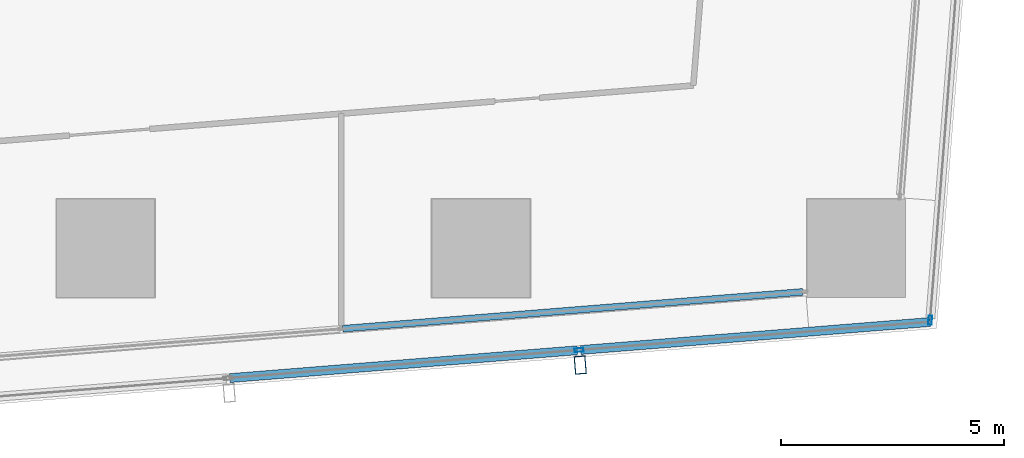
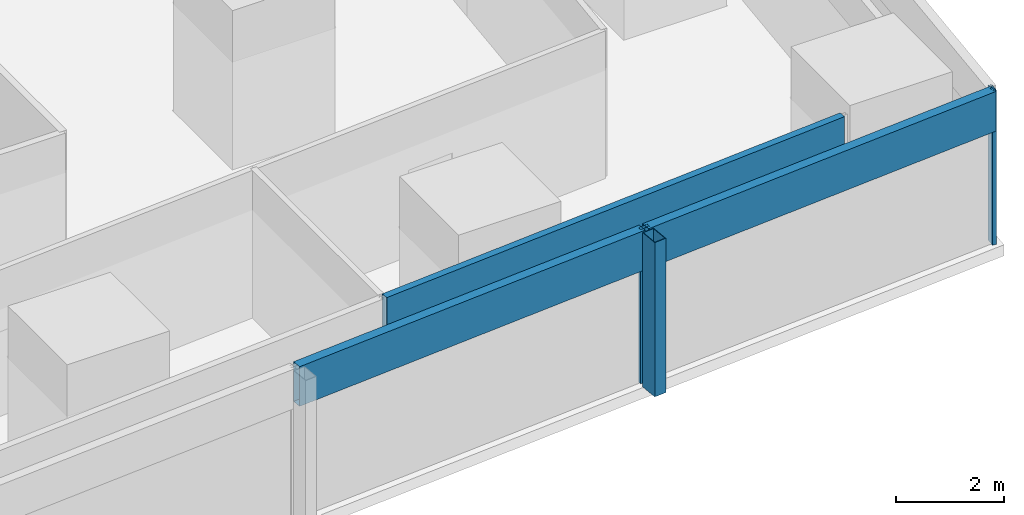
# One storey, part 9 of 42: 6 members, 3 elements without a shape of their own.
"""IFC4 building model written with IfcOpenShell, lengths in metres."""

from ifc_helpers import new_model, si_unit, direction, frame, origin, origin_2d, place, context, subcontext, project, spatial, hollow_rectangle, extrude, material, material_profile, profile_set, type_object, element, aggregate, save


model = new_model("IFC4")

# Units and contexts
model_context = context("Model", 3, precision=1e-05, world=origin(), true_north=direction((0.0, 1.0)))
body_context = subcontext(model_context, "Body", "Model", "MODEL_VIEW")
ifc_project = project(units=[si_unit("LENGTHUNIT", "METRE"), si_unit("AREAUNIT", "SQUARE_METRE"), si_unit("VOLUMEUNIT", "CUBIC_METRE"), si_unit("PLANEANGLEUNIT", "RADIAN"), si_unit("MASSUNIT", "GRAM", prefix="KILO")], contexts=[model_context])

# Site, building, storey
site_placement = place(None, origin())
site = spatial("IfcSite", under=ifc_project, at=site_placement, CompositionType="ELEMENT")
building_placement = place(site_placement, origin())
building = spatial("IfcBuilding", under=site, at=building_placement, Name="Rekha Terrace Tower", CompositionType="ELEMENT")
storey_placement = place(building_placement, frame((0.0, 0.0, 55.39990234375)))
storey = spatial("IfcBuildingStorey", under=building, at=storey_placement, Name="L13", CompositionType="ELEMENT", Elevation=55.39990234375)

# Curtain wall, member
ifc_material_1 = material(Name="Aluminium framing", Category="aluminium")
curtain_wall_type_1 = type_object("IfcCurtainWallType", Name="CW2 double skin outer glazing", PredefinedType="USERDEFINED", material=ifc_material_1)
curtain_wall_1_placement = place(storey_placement, origin())
curtain_wall_1 = element("IfcCurtainWall", 1, at=curtain_wall_1_placement, inside=storey, type_object=curtain_wall_type_1, Name="CW2 double skin outer glazing", ObjectType="DOUBLE SKIN OUTER GLAZING", PredefinedType="USERDEFINED")
ifc_material_2 = material(Name="Steel S355 with fluorocarbon finish", Category="steel")
ifc_material_profile_1 = material_profile(ifc_material_2, hollow_rectangle(XDim=0.25, YDim=0.39990234375, WallThickness=0.012451171875, at=origin_2d()), Name="RHS400x250x12.5")
ifc_profile_set_1 = profile_set([ifc_material_profile_1], Name="Steel S355 with fluorocarbon finish")
member_type_1 = type_object("IfcMemberType", Name="BL1 facade blade RHS 400 x 250", PredefinedType="USERDEFINED", material=ifc_profile_set_1)
member_1_placement = place(storey_placement, frame((61.022705078125, 5.78515625, 0.0), z_axis=(0.0, 0.0, 1.0), x_axis=(0.996805139821, 0.079871855039, 0.0)))
member_1 = element("IfcMember", 2, at=member_1_placement, type_object=member_type_1, Name="Facade blade", ObjectType="FACADE BLADE", PredefinedType="USERDEFINED", context=body_context, shape_type="SweptSolid", body=[
    extrude(hollow_rectangle(XDim=0.25, YDim=0.39990234375, WallThickness=0.012451171875, at=origin_2d()), origin(), (0.0, 0.0, 1.0), 3.5),
])

curtain_wall_type_2 = type_object("IfcCurtainWallType", Name="CW1 double skin inner glazing", PredefinedType="USERDEFINED", material=ifc_material_1)
curtain_wall_2_placement = place(storey_placement, origin())
curtain_wall_2 = element("IfcCurtainWall", 3, at=curtain_wall_2_placement, inside=storey, type_object=curtain_wall_type_2, Name="CW1 double skin inner glazing", ObjectType="DOUBLE SKIN INNER GLAZING", PredefinedType="USERDEFINED")
ifc_material_3 = material(Name="Insulated aluminium spandrel box", Category="aluminium")
ifc_material_profile_2 = material_profile(ifc_material_3, hollow_rectangle(XDim=0.14990234375, YDim=0.89990234375, WallThickness=0.0029296875, at=origin_2d()), Name="AL SPANDREL BOX 150x900")
ifc_profile_set_2 = profile_set([ifc_material_profile_2], Name="Insulated aluminium spandrel box")
member_type_2 = type_object("IfcMemberType", Name="CW1 spandrel transom 150 x 900", PredefinedType="USERDEFINED", material=ifc_profile_set_2)
member_2_placement = place(storey_placement, frame((55.704345703125, 6.59814453125, 3.050048828125), z_axis=(0.996806184606, 0.079858814989, 0.0), x_axis=(-0.079858814989, 0.996806184606, 0.0)))
member_2 = element("IfcMember", 4, at=member_2_placement, type_object=member_type_2, Name="CW1 spandrel transom 2", ObjectType="TRANSOM", PredefinedType="USERDEFINED", context=body_context, shape_type="SweptSolid", body=[
    extrude(hollow_rectangle(XDim=0.14990234375, YDim=0.89990234375, WallThickness=0.0029296875, at=origin_2d()), origin(), (0.0, 0.0, 1.0), 10.336181640625),
])
aggregate(curtain_wall_2, [member_2])

# Member
ifc_material_4 = material(Name="Aluminium mullion section", Category="aluminium")
ifc_material_profile_3 = material_profile(ifc_material_4, hollow_rectangle(XDim=0.080078125, YDim=0.199951171875, WallThickness=0.00390625, at=origin_2d()), Name="AL RHS 80x200")
ifc_profile_set_3 = profile_set([ifc_material_profile_3], Name="Aluminium mullion section")
member_type_3 = type_object("IfcMemberType", Name="CW2 mullion RHS 80 x 200", PredefinedType="MULLION", material=ifc_profile_set_3)
member_3_placement = place(storey_placement, frame((60.99609375, 6.119140625, 0.0), z_axis=(0.0, 0.0, 1.0), x_axis=(-0.079872204468, 0.996805111821, 0.0)))
member_3 = element("IfcMember", 5, at=member_3_placement, type_object=member_type_3, Name="CW2 mullion 3", PredefinedType="MULLION", context=body_context, shape_type="SweptSolid", body=[
    extrude(hollow_rectangle(XDim=0.080078125, YDim=0.199951171875, WallThickness=0.00390625, at=origin_2d()), origin(), (0.0, 0.0, 1.0), 3.5),
])

# Curtain wall, member
curtain_wall_3_placement = place(storey_placement, origin())
curtain_wall_3 = element("IfcCurtainWall", 6, at=curtain_wall_3_placement, inside=storey, type_object=curtain_wall_type_1, Name="CW2 double skin outer glazing", ObjectType="DOUBLE SKIN OUTER GLAZING", PredefinedType="USERDEFINED")
member_4_placement = place(storey_placement, frame((68.8544921875, 6.78857421875, 0.0), z_axis=(0.0, 0.0, 1.0), x_axis=(-0.996865392575, 0.079116301017, 0.0)))
member_4 = element("IfcMember", 7, at=member_4_placement, type_object=member_type_3, Name="CW2 mullion 1", PredefinedType="MULLION", context=body_context, shape_type="SweptSolid", body=[
    extrude(hollow_rectangle(XDim=0.080078125, YDim=0.199951171875, WallThickness=0.00390625, at=origin_2d()), origin(), (0.0, 0.0, 1.0), 3.5),
])
aggregate(curtain_wall_3, [member_4])

# Member
ifc_material_profile_4 = material_profile(ifc_material_3, hollow_rectangle(XDim=0.199951171875, YDim=0.89990234375, WallThickness=0.0029296875, at=origin_2d()), Name="AL SPANDREL BOX 200x900")
ifc_profile_set_4 = profile_set([ifc_material_profile_4], Name="Insulated aluminium spandrel box")
member_type_4 = type_object("IfcMemberType", Name="CW2 spandrel transom 200 x 900", PredefinedType="USERDEFINED", material=ifc_profile_set_4)
member_5_placement = place(storey_placement, frame((53.1806640625, 5.492919921875, 3.050048828125), z_axis=(0.996804920132, 0.079874596715, 0.0), x_axis=(-0.079874596715, 0.996804920132, 0.0)))
member_5 = element("IfcMember", 8, at=member_5_placement, type_object=member_type_4, Name="CW2 spandrel transom 2", ObjectType="TRANSOM", PredefinedType="USERDEFINED", context=body_context, shape_type="SweptSolid", body=[
    extrude(hollow_rectangle(XDim=0.199951171875, YDim=0.89990234375, WallThickness=0.0029296875, at=origin_2d()), origin(), (0.0, 0.0, 1.0), 7.80029296875),
])

member_6_placement = place(storey_placement, frame((61.035888671875, 6.122314453125, 3.050048828125), z_axis=(0.996805270739, 0.07987022115, 0.0), x_axis=(-0.07987022115, 0.996805270739, 0.0)))
member_6 = element("IfcMember", 9, at=member_6_placement, type_object=member_type_4, Name="CW2 spandrel transom 3", ObjectType="TRANSOM", PredefinedType="USERDEFINED", context=body_context, shape_type="SweptSolid", body=[
    extrude(hollow_rectangle(XDim=0.199951171875, YDim=0.89990234375, WallThickness=0.0029296875, at=origin_2d()), origin(), (0.0, 0.0, 1.0), 7.840576171875),
])

aggregate(curtain_wall_1, [member_3, member_5, member_6, member_1])

save(model, "model.ifc")
